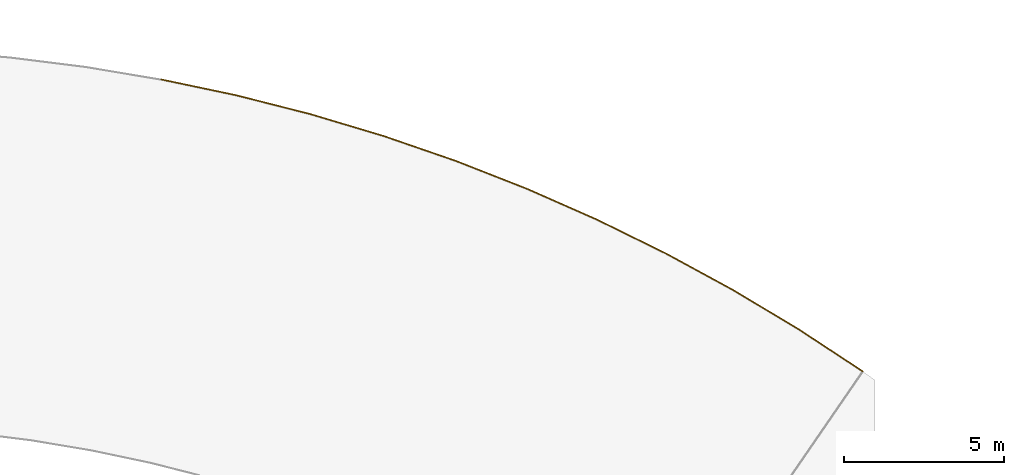
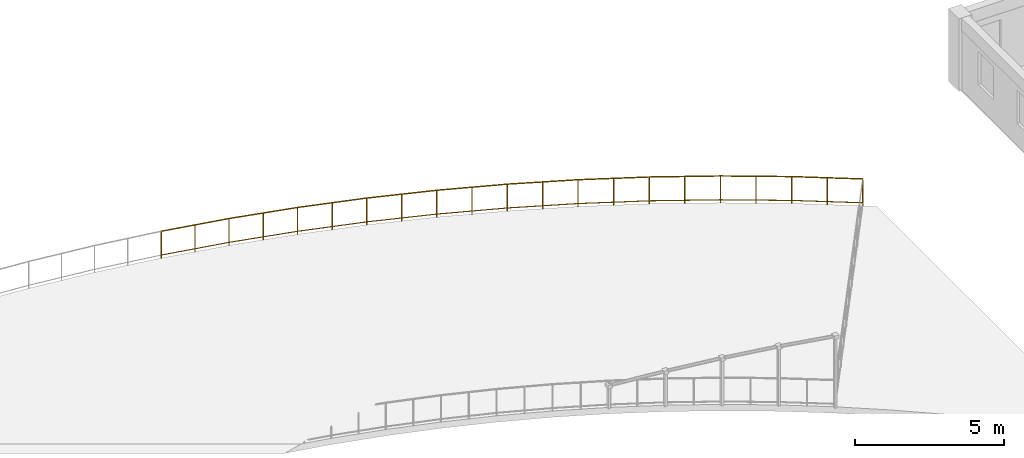
# One storey, part 58 of 58: 10 railings.
"""IFC4 building model written with IfcOpenShell, lengths in metres."""

from ifc_helpers import new_model, si_unit, direction, frame, origin, origin_2d, place, context, subcontext, project, spatial, circle, extrude, material, layer, layer_set, type_object, element, save


model = new_model("IFC4")

# Units and contexts
model_context = context("Model", 3, precision=1e-05, world=origin(), true_north=direction((0.0, 1.0)))
body_context = subcontext(model_context, "Body", "Model", "MODEL_VIEW")
ifc_project = project(units=[si_unit("LENGTHUNIT", "METRE"), si_unit("AREAUNIT", "SQUARE_METRE"), si_unit("VOLUMEUNIT", "CUBIC_METRE"), si_unit("PLANEANGLEUNIT", "RADIAN"), si_unit("MASSUNIT", "GRAM", prefix="KILO"), si_unit("POWERUNIT", "WATT"), si_unit("THERMODYNAMICTEMPERATUREUNIT", "KELVIN")], contexts=[model_context])

# Site, building, storey
site_placement = place(None, origin())
site = spatial("IfcSite", under=ifc_project, at=site_placement, CompositionType="ELEMENT")
building_placement = place(site_placement, origin())
building = spatial("IfcBuilding", under=site, at=building_placement, Name="Ruvembo Vaulted Housing Court", CompositionType="ELEMENT")
storey_placement = place(building_placement, frame((0.0, 0.0, 20.5)))
storey = spatial("IfcBuildingStorey", under=building, at=storey_placement, Name="L06", CompositionType="ELEMENT", Elevation=20.5)

# Railings
ifc_material = material(Name="Galvanised Painted Steel and Laminated Glass", Category="steel")
ifc_layer = layer(ifc_material, 0.070068359375, Name="Galvanised Painted Steel and Laminated Glass")
ifc_layer_set = layer_set([ifc_layer], Name="Galvanised Painted Steel and Laminated Glass")
railing_type = type_object("IfcRailingType", Name="RL-BALUST-1120", PredefinedType="BALUSTRADE", material=ifc_layer_set)
railing_1_placement = place(storey_placement, frame((149.61376953125, 97.477294921875, 0.0)))
element("IfcRailing", 1, at=railing_1_placement, inside=storey, type_object=railing_type, Name="L06 Perimeter Guard RL-EXT-L06-0855", PredefinedType="BALUSTRADE", context=body_context, shape_type="SweptSolid", body=[
    extrude(circle(Radius=0.02392578125, at=origin_2d()), frame((0.0, 0.0, 1.09619140625), z_axis=(-0.835832667649, 0.548984290932, 0.0), x_axis=(-0.548984290932, -0.835832667649, 0.0)), (0.0, 0.0, 1.0), 2.390869140625),
    extrude(circle(Radius=0.01806640625, at=origin_2d()), frame((0.0, 0.0, 0.1201171875), z_axis=(-0.835832667649, 0.548984290932, 0.0), x_axis=(-0.548984290932, -0.835832667649, 0.0)), (0.0, 0.0, 1.0), 2.390869140625),
    extrude(circle(Radius=0.02099609375, at=origin_2d()), origin(), (0.0, 0.0, 1.0), 1.072021484375),
    extrude(circle(Radius=0.02099609375, at=origin_2d()), frame((-0.9990234375, 0.65625, 0.0)), (0.0, 0.0, 1.0), 1.072021484375),
    extrude(circle(Radius=0.02099609375, at=origin_2d()), frame((-1.998291015625, 1.3125, 0.0)), (0.0, 0.0, 1.0), 1.072021484375),
])
railing_2_placement = place(storey_placement, frame((147.615478515625, 98.789794921875, 0.0)))
element("IfcRailing", 2, at=railing_2_placement, inside=storey, type_object=railing_type, Name="L06 Perimeter Guard RL-EXT-L06-0856", PredefinedType="BALUSTRADE", context=body_context, shape_type="SweptSolid", body=[
    extrude(circle(Radius=0.02392578125, at=origin_2d()), frame((0.0, 0.0, 1.09619140625), z_axis=(-0.857880124323, 0.5138498733, 0.0), x_axis=(-0.5138498733, -0.857880124323, 0.0)), (0.0, 0.0, 1.0), 2.390869140625),
    extrude(circle(Radius=0.01806640625, at=origin_2d()), frame((0.0, 0.0, 0.1201171875), z_axis=(-0.857880124323, 0.5138498733, 0.0), x_axis=(-0.5138498733, -0.857880124323, 0.0)), (0.0, 0.0, 1.0), 2.390869140625),
    extrude(circle(Radius=0.02099609375, at=origin_2d()), origin(), (0.0, 0.0, 1.0), 1.072021484375),
    extrude(circle(Radius=0.02099609375, at=origin_2d()), frame((-1.025390625, 0.6142578125, 0.0)), (0.0, 0.0, 1.0), 1.072021484375),
    extrude(circle(Radius=0.02099609375, at=origin_2d()), frame((-2.051025390625, 1.228515625, 0.0)), (0.0, 0.0, 1.0), 1.072021484375),
])
railing_3_placement = place(storey_placement, frame((145.564453125, 100.018310546875, 0.0)))
element("IfcRailing", 3, at=railing_3_placement, inside=storey, type_object=railing_type, Name="L06 Perimeter Guard RL-EXT-L06-0857", PredefinedType="BALUSTRADE", context=body_context, shape_type="SweptSolid", body=[
    extrude(circle(Radius=0.02392578125, at=origin_2d()), frame((0.0, 0.0, 1.09619140625), z_axis=(-0.87847638328, 0.477785772099, 0.0), x_axis=(-0.477785772099, -0.87847638328, 0.0)), (0.0, 0.0, 1.0), 2.390869140625),
    extrude(circle(Radius=0.01806640625, at=origin_2d()), frame((0.0, 0.0, 0.1201171875), z_axis=(-0.87847638328, 0.477785772099, 0.0), x_axis=(-0.477785772099, -0.87847638328, 0.0)), (0.0, 0.0, 1.0), 2.390869140625),
    extrude(circle(Radius=0.02099609375, at=origin_2d()), origin(), (0.0, 0.0, 1.0), 1.072021484375),
    extrude(circle(Radius=0.02099609375, at=origin_2d()), frame((-1.05029296875, 0.5712890625, 0.0)), (0.0, 0.0, 1.0), 1.072021484375),
    extrude(circle(Radius=0.02099609375, at=origin_2d()), frame((-2.100341796875, 1.142333984375, 0.0)), (0.0, 0.0, 1.0), 1.072021484375),
])
railing_4_placement = place(storey_placement, frame((143.464111328125, 101.16064453125, 0.0)))
element("IfcRailing", 4, at=railing_4_placement, inside=storey, type_object=railing_type, Name="L06 Perimeter Guard RL-EXT-L06-0858", PredefinedType="BALUSTRADE", context=body_context, shape_type="SweptSolid", body=[
    extrude(circle(Radius=0.02392578125, at=origin_2d()), frame((0.0, 0.0, 1.09619140625), z_axis=(-0.897550072852, 0.440912538632, 0.0), x_axis=(-0.440912538632, -0.897550072852, 0.0)), (0.0, 0.0, 1.0), 2.390869140625),
    extrude(circle(Radius=0.01806640625, at=origin_2d()), frame((0.0, 0.0, 0.1201171875), z_axis=(-0.897550072852, 0.440912538632, 0.0), x_axis=(-0.440912538632, -0.897550072852, 0.0)), (0.0, 0.0, 1.0), 2.390869140625),
    extrude(circle(Radius=0.02099609375, at=origin_2d()), origin(), (0.0, 0.0, 1.0), 1.072021484375),
    extrude(circle(Radius=0.02099609375, at=origin_2d()), frame((-1.072998046875, 0.527099609375, 0.0)), (0.0, 0.0, 1.0), 1.072021484375),
    extrude(circle(Radius=0.02099609375, at=origin_2d()), frame((-2.14599609375, 1.05419921875, 0.0)), (0.0, 0.0, 1.0), 1.072021484375),
])
railing_5_placement = place(storey_placement, frame((141.318115234375, 102.21484375, 0.0)))
element("IfcRailing", 5, at=railing_5_placement, inside=storey, type_object=railing_type, Name="L06 Perimeter Guard RL-EXT-L06-0859", PredefinedType="BALUSTRADE", context=body_context, shape_type="SweptSolid", body=[
    extrude(circle(Radius=0.02392578125, at=origin_2d()), frame((0.0, 0.0, 1.09619140625), z_axis=(-0.915082992534, 0.403265566066, 0.0), x_axis=(-0.403265566066, -0.915082992534, 0.0)), (0.0, 0.0, 1.0), 2.390869140625),
    extrude(circle(Radius=0.01806640625, at=origin_2d()), frame((0.0, 0.0, 0.1201171875), z_axis=(-0.915082992534, 0.403265566066, 0.0), x_axis=(-0.403265566066, -0.915082992534, 0.0)), (0.0, 0.0, 1.0), 2.390869140625),
    extrude(circle(Radius=0.02099609375, at=origin_2d()), origin(), (0.0, 0.0, 1.0), 1.072021484375),
    extrude(circle(Radius=0.02099609375, at=origin_2d()), frame((-1.09375, 0.48193359375, 0.0)), (0.0, 0.0, 1.0), 1.072021484375),
    extrude(circle(Radius=0.02099609375, at=origin_2d()), frame((-2.187744140625, 0.964111328125, 0.0)), (0.0, 0.0, 1.0), 1.072021484375),
])
railing_6_placement = place(storey_placement, frame((139.13037109375, 103.178955078125, 0.0)))
element("IfcRailing", 6, at=railing_6_placement, inside=storey, type_object=railing_type, Name="L06 Perimeter Guard RL-EXT-L06-0860", PredefinedType="BALUSTRADE", context=body_context, shape_type="SweptSolid", body=[
    extrude(circle(Radius=0.02392578125, at=origin_2d()), frame((0.0, 0.0, 1.09619140625), z_axis=(-0.931018108789, 0.364972986817, 0.0), x_axis=(-0.364972986817, -0.931018108789, 0.0)), (0.0, 0.0, 1.0), 2.390869140625),
    extrude(circle(Radius=0.01806640625, at=origin_2d()), frame((0.0, 0.0, 0.1201171875), z_axis=(-0.931018108789, 0.364972986817, 0.0), x_axis=(-0.364972986817, -0.931018108789, 0.0)), (0.0, 0.0, 1.0), 2.390869140625),
    extrude(circle(Radius=0.02099609375, at=origin_2d()), origin(), (0.0, 0.0, 1.0), 1.072021484375),
    extrude(circle(Radius=0.02099609375, at=origin_2d()), frame((-1.11279296875, 0.436279296875, 0.0)), (0.0, 0.0, 1.0), 1.072021484375),
    extrude(circle(Radius=0.02099609375, at=origin_2d()), frame((-2.225830078125, 0.87255859375, 0.0)), (0.0, 0.0, 1.0), 1.072021484375),
])
railing_7_placement = place(storey_placement, frame((136.904541015625, 104.051513671875, 0.0)))
element("IfcRailing", 7, at=railing_7_placement, inside=storey, type_object=railing_type, Name="L06 Perimeter Guard RL-EXT-L06-0861", PredefinedType="BALUSTRADE", context=body_context, shape_type="SweptSolid", body=[
    extrude(circle(Radius=0.02392578125, at=origin_2d()), frame((0.0, 0.0, 1.09619140625), z_axis=(-0.945354532642, 0.326044180463, 0.0), x_axis=(-0.326044180463, -0.945354532642, 0.0)), (0.0, 0.0, 1.0), 2.390869140625),
    extrude(circle(Radius=0.01806640625, at=origin_2d()), frame((0.0, 0.0, 0.1201171875), z_axis=(-0.945354532642, 0.326044180463, 0.0), x_axis=(-0.326044180463, -0.945354532642, 0.0)), (0.0, 0.0, 1.0), 2.390869140625),
    extrude(circle(Radius=0.02099609375, at=origin_2d()), origin(), (0.0, 0.0, 1.0), 1.072021484375),
    extrude(circle(Radius=0.02099609375, at=origin_2d()), frame((-1.130126953125, 0.3896484375, 0.0)), (0.0, 0.0, 1.0), 1.072021484375),
    extrude(circle(Radius=0.02099609375, at=origin_2d()), frame((-2.26025390625, 0.779541015625, 0.0)), (0.0, 0.0, 1.0), 1.072021484375),
])
railing_8_placement = place(storey_placement, frame((134.644287109375, 104.8310546875, 0.0)))
element("IfcRailing", 8, at=railing_8_placement, inside=storey, type_object=railing_type, Name="L06 Perimeter Guard RL-EXT-L06-0862", PredefinedType="BALUSTRADE", context=body_context, shape_type="SweptSolid", body=[
    extrude(circle(Radius=0.02392578125, at=origin_2d()), frame((0.0, 0.0, 1.09619140625), z_axis=(-0.958067655987, 0.286542085131, 0.0), x_axis=(-0.286542085131, -0.958067655987, 0.0)), (0.0, 0.0, 1.0), 2.390869140625),
    extrude(circle(Radius=0.01806640625, at=origin_2d()), frame((0.0, 0.0, 0.1201171875), z_axis=(-0.958067655987, 0.286542085131, 0.0), x_axis=(-0.286542085131, -0.958067655987, 0.0)), (0.0, 0.0, 1.0), 2.390869140625),
    extrude(circle(Radius=0.02099609375, at=origin_2d()), origin(), (0.0, 0.0, 1.0), 1.072021484375),
    extrude(circle(Radius=0.02099609375, at=origin_2d()), frame((-1.145263671875, 0.342529296875, 0.0)), (0.0, 0.0, 1.0), 1.072021484375),
    extrude(circle(Radius=0.02099609375, at=origin_2d()), frame((-2.29052734375, 0.68505859375, 0.0)), (0.0, 0.0, 1.0), 1.072021484375),
])
railing_9_placement = place(storey_placement, frame((132.353759765625, 105.51611328125, 0.0)))
element("IfcRailing", 9, at=railing_9_placement, inside=storey, type_object=railing_type, Name="L06 Perimeter Guard RL-EXT-L06-0863", PredefinedType="BALUSTRADE", context=body_context, shape_type="SweptSolid", body=[
    extrude(circle(Radius=0.02392578125, at=origin_2d()), frame((0.0, 0.0, 1.09619140625), z_axis=(-0.969167704474, 0.246402030439, 0.0), x_axis=(-0.246402030439, -0.969167704474, 0.0)), (0.0, 0.0, 1.0), 2.390869140625),
    extrude(circle(Radius=0.01806640625, at=origin_2d()), frame((0.0, 0.0, 0.1201171875), z_axis=(-0.969167704474, 0.246402030439, 0.0), x_axis=(-0.246402030439, -0.969167704474, 0.0)), (0.0, 0.0, 1.0), 2.390869140625),
    extrude(circle(Radius=0.02099609375, at=origin_2d()), origin(), (0.0, 0.0, 1.0), 1.072021484375),
    extrude(circle(Radius=0.02099609375, at=origin_2d()), frame((-1.15869140625, 0.29443359375, 0.0)), (0.0, 0.0, 1.0), 1.072021484375),
    extrude(circle(Radius=0.02099609375, at=origin_2d()), frame((-2.317138671875, 0.589111328125, 0.0)), (0.0, 0.0, 1.0), 1.072021484375),
])
railing_10_placement = place(storey_placement, frame((130.03662109375, 106.105224609375, 0.0)))
element("IfcRailing", 10, at=railing_10_placement, inside=storey, type_object=railing_type, Name="L06 Perimeter Guard RL-EXT-L06-0864", PredefinedType="BALUSTRADE", context=body_context, shape_type="SweptSolid", body=[
    extrude(circle(Radius=0.02392578125, at=origin_2d()), frame((0.0, 0.0, 1.09619140625), z_axis=(-0.978538949473, 0.206061943028, 0.0), x_axis=(-0.206061943028, -0.978538949473, 0.0)), (0.0, 0.0, 1.0), 2.390869140625),
    extrude(circle(Radius=0.01806640625, at=origin_2d()), frame((0.0, 0.0, 0.1201171875), z_axis=(-0.978538949473, 0.206061943028, 0.0), x_axis=(-0.206061943028, -0.978538949473, 0.0)), (0.0, 0.0, 1.0), 2.390869140625),
    extrude(circle(Radius=0.02099609375, at=origin_2d()), origin(), (0.0, 0.0, 1.0), 1.072021484375),
    extrude(circle(Radius=0.02099609375, at=origin_2d()), frame((-1.169921875, 0.246337890625, 0.0)), (0.0, 0.0, 1.0), 1.072021484375),
    extrude(circle(Radius=0.02099609375, at=origin_2d()), frame((-2.339599609375, 0.49267578125, 0.0)), (0.0, 0.0, 1.0), 1.072021484375),
])

save(model, "model.ifc")
